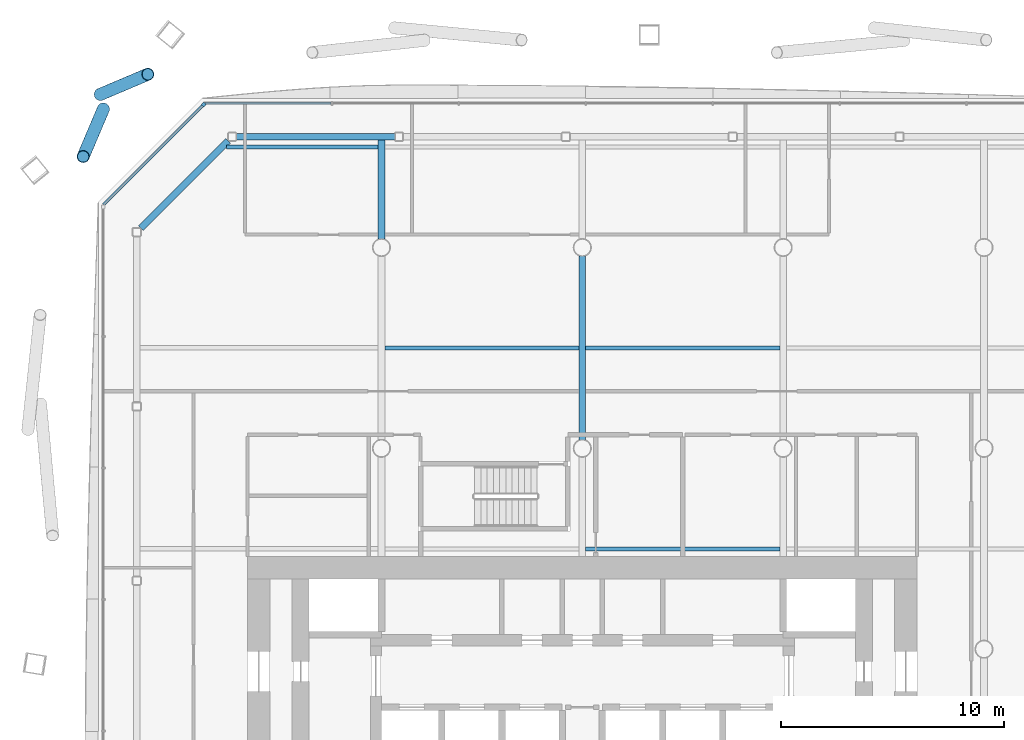
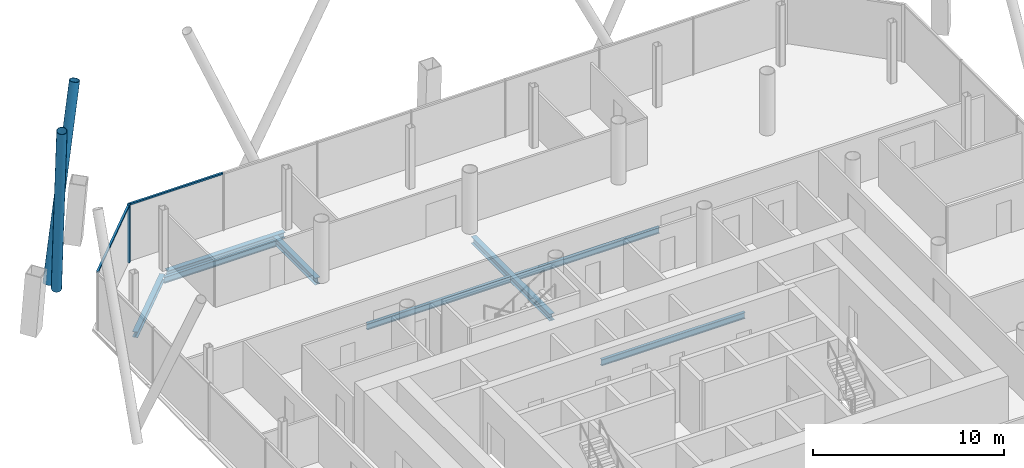
# One storey, part 9 of 22: 8 beams, 5 members, 2 elements without a shape of their own.
"""IFC4 building model written with IfcOpenShell, lengths in metres."""

from ifc_helpers import new_model, si_unit, direction, frame, origin, origin_2d, place, context, subcontext, project, spatial, rectangle, hollow_circle, i_section, extrude, material, material_profile, profile_set, type_object, element, aggregate, save


model = new_model("IFC4")

# Units and contexts
model_context = context("Model", 3, precision=1e-05, world=origin(), true_north=direction((0.0, 1.0)))
body_context = subcontext(model_context, "Body", "Model", "MODEL_VIEW")
ifc_project = project(units=[si_unit("LENGTHUNIT", "METRE"), si_unit("AREAUNIT", "SQUARE_METRE"), si_unit("VOLUMEUNIT", "CUBIC_METRE"), si_unit("PLANEANGLEUNIT", "RADIAN"), si_unit("MASSUNIT", "GRAM", prefix="KILO")], contexts=[model_context])

# Site, building, storey
site_placement = place(None, origin())
site = spatial("IfcSite", under=ifc_project, at=site_placement, CompositionType="ELEMENT")
building_placement = place(site_placement, origin())
building = spatial("IfcBuilding", under=site, at=building_placement, Name="Tskaro Facet Tower", CompositionType="ELEMENT")
storey_placement = place(building_placement, frame((0.0, 0.0, 85.5)))
storey = spatial("IfcBuildingStorey", under=building, at=storey_placement, Name="L20", CompositionType="ELEMENT", Elevation=85.5)

# Members
ifc_material_1 = material(Name="Steel S355J2H", Category="steel")
ifc_material_profile_1 = material_profile(ifc_material_1, hollow_circle(Radius=0.279541015625, WallThickness=0.02490234375, at=origin_2d()), Name="CHS 559x25")
ifc_profile_set_1 = profile_set([ifc_material_profile_1], Name="Steel S355J2H")
member_type_1 = type_object("IfcMemberType", Name="CHS 559x25 brace", PredefinedType="BRACE", material=ifc_profile_set_1)
for number, where, z_axis, x_axis, name in (
    (1, (-21.46533203125, 24.202392578125, 0.0), (-0.075639155813, -0.178565725619, 0.981016309621), (0.920796704656, -0.390042854947, 0.0), "CHS 559x25 XB09A/2"),
    (2, (-21.59765625, 24.860595703125, 0.0), (0.178565725619, 0.075639155813, 0.981016309621), (-0.390042854947, 0.920796704656, 0.0), "CHS 559x25 XB09B/2"),
):
    element("IfcMember", number, at=place(storey_placement, frame(where, z_axis=z_axis, x_axis=x_axis)), inside=storey, type_object=member_type_1, Name=name, PredefinedType="BRACE", context=body_context, shape_type="SweptSolid", body=[
        extrude(hollow_circle(Radius=0.279541015625, WallThickness=0.02490234375, at=origin_2d()), origin(), (0.0, 0.0, 1.0), 11.92626953125),
    ])

# Curtain wall, member
ifc_material_2 = material(Name="Bronze anodised aluminium 6063-T6", Category="aluminium")
curtain_wall_type = type_object("IfcCurtainWallType", Name="Bronze office curtain wall (FW1)", PredefinedType="NOTDEFINED", material=ifc_material_2)
curtain_wall_1_placement = place(storey_placement, origin())
curtain_wall_1 = element("IfcCurtainWall", 3, at=curtain_wall_1_placement, inside=storey, type_object=curtain_wall_type, Name="FW1 north-west facet L20", PredefinedType="NOTDEFINED")
ifc_material_profile_2 = material_profile(ifc_material_2, rectangle(XDim=0.159912109375, YDim=0.159912109375, at=origin_2d()), Name="Corner post 160x160")
ifc_profile_set_2 = profile_set([ifc_material_profile_2], Name="Bronze anodised aluminium 6063-T6")
member_type_2 = type_object("IfcMemberType", Name="FW1 bronze corner post 160x160", PredefinedType="MULLION", material=ifc_profile_set_2)
member_1_placement = place(storey_placement, frame((-16.969482421875, 24.406494140625, 0.0), z_axis=(0.0, 0.0, 1.0), x_axis=(-0.707106781187, -0.707106781187, 0.0)))
member_1 = element("IfcMember", 4, at=member_1_placement, type_object=member_type_2, Name="FW1 north-west corner post", PredefinedType="MULLION", context=body_context, shape_type="SweptSolid", body=[
    extrude(rectangle(XDim=0.159912109375, YDim=0.159912109375, at=origin_2d()), origin(), (0.0, 0.0, 1.0), 3.699951171875),
])

curtain_wall_2_placement = place(storey_placement, origin())
curtain_wall_2 = element("IfcCurtainWall", 5, at=curtain_wall_2_placement, inside=storey, type_object=curtain_wall_type, Name="FW1 north facet L20", PredefinedType="NOTDEFINED")
ifc_material_profile_3 = material_profile(ifc_material_2, rectangle(XDim=0.1201171875, YDim=0.10009765625, at=origin_2d()), Name="Transom 120x100")
ifc_profile_set_3 = profile_set([ifc_material_profile_3], Name="Bronze anodised aluminium 6063-T6")
member_type_3 = type_object("IfcMemberType", Name="FW1 bronze transom 120x100", PredefinedType="USERDEFINED", material=ifc_profile_set_3)
member_2_placement = place(storey_placement, frame((-11.253662109375, 24.462890625, 3.64990234375), z_axis=(-1.0, 0.0, 0.0), x_axis=(0.0, -1.0, 0.0)))
member_2 = element("IfcMember", 6, at=member_2_placement, type_object=member_type_3, Name="FW1 north transom 7.1", ObjectType="TRANSOM", PredefinedType="USERDEFINED", context=body_context, shape_type="SweptSolid", body=[
    extrude(rectangle(XDim=0.1201171875, YDim=0.10009765625, at=origin_2d()), origin(), (0.0, 0.0, 1.0), 5.659423828125),
])
aggregate(curtain_wall_2, [member_2])

# Member
member_3_placement = place(storey_placement, frame((-17.026123046875, 24.349853515625, 3.64990234375), z_axis=(-0.707106781187, -0.707106781187, 0.0), x_axis=(0.707106781187, -0.707106781187, 0.0)))
member_3 = element("IfcMember", 7, at=member_3_placement, type_object=member_type_3, Name="FW1 north-west transom 1.1", ObjectType="TRANSOM", PredefinedType="USERDEFINED", context=body_context, shape_type="SweptSolid", body=[
    extrude(rectangle(XDim=0.1201171875, YDim=0.10009765625, at=origin_2d()), origin(), (0.0, 0.0, 1.0), 6.274658203125),
])

aggregate(curtain_wall_1, [member_1, member_3])

# Beams
ifc_material_3 = material(Name="Steel S355J2", Category="steel")
ifc_material_profile_4 = material_profile(ifc_material_3, i_section(OverallWidth=0.300048828125, OverallDepth=0.360107421875, WebThickness=0.012451171875, FlangeThickness=0.0224609375, FilletRadius=0.027099609375, at=origin_2d()), Name="HE 360 B")
ifc_profile_set_4 = profile_set([ifc_material_profile_4], Name="Steel S355J2")
beam_type_1 = type_object("IfcBeamType", Name="HE 360 B ring beam", PredefinedType="BEAM", material=ifc_profile_set_4)
beam_1_placement = place(storey_placement, frame((-8.39404296875, 22.965087890625, -0.320068359375), z_axis=(-1.0, 0.0, 0.0), x_axis=(0.0, -1.0, 0.0)))
element("IfcBeam", 8, at=beam_1_placement, inside=storey, type_object=beam_type_1, Name="HE 360 B EB17-2", PredefinedType="BEAM", context=body_context, shape_type="SweptSolid", body=[
    extrude(i_section(OverallWidth=0.300048828125, OverallDepth=0.360107421875, WebThickness=0.012451171875, FlangeThickness=0.0224609375, FilletRadius=0.027099609375, at=origin_2d()), origin(), (0.0, 0.0, 1.0), 7.115966796875),
])
beam_2_placement = place(storey_placement, frame((-15.8759765625, 22.779052734375, -0.320068359375), z_axis=(-0.707106781187, -0.707106781187, 0.0), x_axis=(0.707106781187, -0.707106781187, 0.0)))
element("IfcBeam", 9, at=beam_2_placement, inside=storey, type_object=beam_type_1, Name="HE 360 B EB18-2", PredefinedType="BEAM", context=body_context, shape_type="SweptSolid", body=[
    extrude(i_section(OverallWidth=0.300048828125, OverallDepth=0.360107421875, WebThickness=0.012451171875, FlangeThickness=0.0224609375, FilletRadius=0.027099609375, at=origin_2d()), origin(), (0.0, 0.0, 1.0), 5.519775390625),
])
ifc_material_profile_5 = material_profile(ifc_material_3, i_section(OverallWidth=0.300048828125, OverallDepth=0.43994140625, WebThickness=0.011474609375, FlangeThickness=0.02099609375, FilletRadius=0.027099609375, at=origin_2d()), Name="HE 450 A")
ifc_profile_set_5 = profile_set([ifc_material_profile_5], Name="Steel S355J2")
beam_type_2 = type_object("IfcBeamType", Name="HE 450 A girder", PredefinedType="BEAM", material=ifc_profile_set_5)
beam_3_placement = place(storey_placement, frame((-9.0, 18.37646484375, -0.360107421875), z_axis=(0.0, 1.0, 0.0), x_axis=(-1.0, 0.0, 0.0)))
element("IfcBeam", 10, at=beam_3_placement, inside=storey, type_object=beam_type_2, Name="HE 450 A GB3-5-2", PredefinedType="BEAM", context=body_context, shape_type="SweptSolid", body=[
    extrude(i_section(OverallWidth=0.300048828125, OverallDepth=0.43994140625, WebThickness=0.011474609375, FlangeThickness=0.02099609375, FilletRadius=0.027099609375, at=origin_2d()), origin(), (0.0, 0.0, 1.0), 4.4384765625),
])
beam_4_placement = place(storey_placement, frame((0.0, 9.37646484375, -0.360107421875), z_axis=(0.0, 1.0, 0.0), x_axis=(-1.0, 0.0, 0.0)))
element("IfcBeam", 11, at=beam_4_placement, inside=storey, type_object=beam_type_2, Name="HE 450 A GB4-4-2", PredefinedType="BEAM", context=body_context, shape_type="SweptSolid", body=[
    extrude(i_section(OverallWidth=0.300048828125, OverallDepth=0.43994140625, WebThickness=0.011474609375, FlangeThickness=0.02099609375, FilletRadius=0.027099609375, at=origin_2d()), origin(), (0.0, 0.0, 1.0), 8.2470703125),
])
ifc_material_profile_6 = material_profile(ifc_material_3, i_section(OverallWidth=0.179931640625, OverallDepth=0.39990234375, WebThickness=0.008544921875, FlangeThickness=0.013427734375, FilletRadius=0.02099609375, at=origin_2d()), Name="IPE 400")
ifc_profile_set_6 = profile_set([ifc_material_profile_6], Name="Steel S355J2")
beam_type_3 = type_object("IfcBeamType", Name="IPE 400 secondary beam", PredefinedType="BEAM", material=ifc_profile_set_6)
for number, where, z_axis, x_axis, name in (
    (12, (0.14990234375, 4.5, -0.340087890625), (1.0, 0.0, 0.0), (0.0, 1.0, 0.0), "IPE 400 SB4a-3-2"),
    (13, (-8.85009765625, 13.5, -0.340087890625), (1.0, 0.0, 0.0), (0.0, 1.0, 0.0), "IPE 400 SB5a-2-2"),
    (14, (0.14990234375, 13.5, -0.340087890625), (1.0, 0.0, 0.0), (0.0, 1.0, 0.0), "IPE 400 SB5a-3-2"),
):
    element("IfcBeam", number, at=place(storey_placement, frame(where, z_axis=z_axis, x_axis=x_axis)), inside=storey, type_object=beam_type_3, Name=name, PredefinedType="BEAM", context=body_context, shape_type="SweptSolid", body=[
        extrude(i_section(OverallWidth=0.179931640625, OverallDepth=0.39990234375, WebThickness=0.008544921875, FlangeThickness=0.013427734375, FilletRadius=0.02099609375, at=origin_2d()), origin(), (0.0, 0.0, 1.0), 8.7001953125),
    ])
beam_5_placement = place(storey_placement, frame((-15.943115234375, 22.5, -0.340087890625), z_axis=(1.0, 0.0, 0.0), x_axis=(0.0, 1.0, 0.0)))
element("IfcBeam", 15, at=beam_5_placement, inside=storey, type_object=beam_type_3, Name="IPE 400 SB6a-1-2", PredefinedType="BEAM", context=body_context, shape_type="SweptSolid", body=[
    extrude(i_section(OverallWidth=0.179931640625, OverallDepth=0.39990234375, WebThickness=0.008544921875, FlangeThickness=0.013427734375, FilletRadius=0.02099609375, at=origin_2d()), origin(), (0.0, 0.0, 1.0), 6.793212890625),
])

save(model, "model.ifc")
